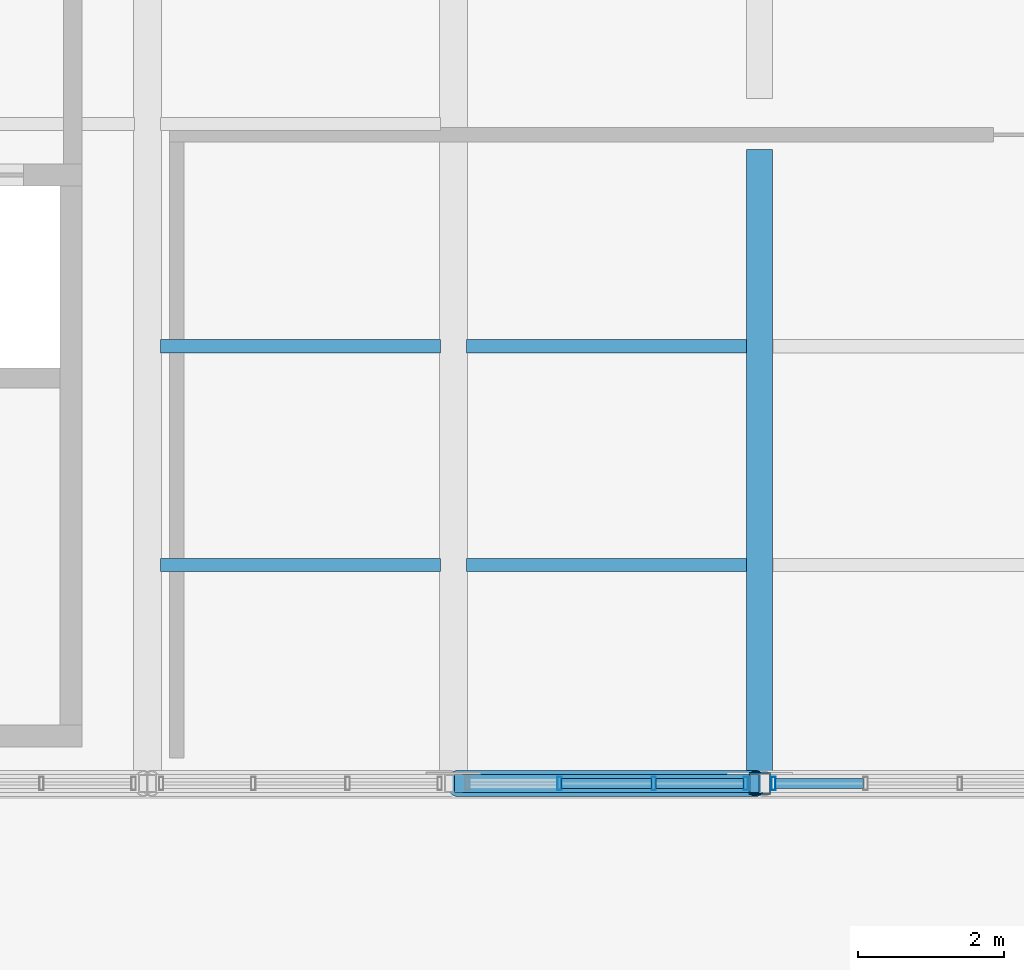
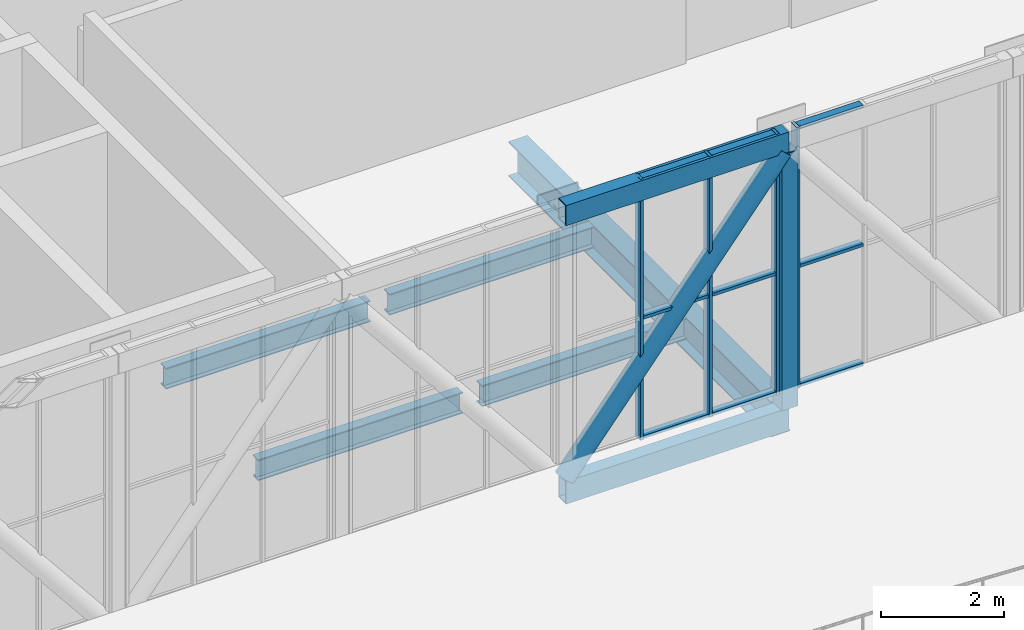
# One storey, part 20 of 58: 17 members, 5 beams, 2 elements without a shape of their own.
"""IFC4 building model written with IfcOpenShell, lengths in metres."""

from ifc_helpers import new_model, si_unit, direction, frame, origin, origin_2d, place, context, subcontext, project, spatial, hollow_rectangle, hollow_circle, i_section, extrude, material, material_profile, profile_set, type_object, element, aggregate, save


model = new_model("IFC4")

# Units and contexts
model_context = context("Model", 3, precision=1e-05, world=origin(), true_north=direction((0.0, 1.0)))
body_context = subcontext(model_context, "Body", "Model", "MODEL_VIEW")
ifc_project = project(units=[si_unit("LENGTHUNIT", "METRE"), si_unit("AREAUNIT", "SQUARE_METRE"), si_unit("VOLUMEUNIT", "CUBIC_METRE"), si_unit("PLANEANGLEUNIT", "RADIAN"), si_unit("MASSUNIT", "GRAM", prefix="KILO")], contexts=[model_context])

# Site, building, storey
site_placement = place(None, origin())
site = spatial("IfcSite", under=ifc_project, at=site_placement, CompositionType="ELEMENT")
building_placement = place(site_placement, origin())
building = spatial("IfcBuilding", under=site, at=building_placement, Name="Khurvash Pelagic Aquarium", CompositionType="ELEMENT")
storey_placement = place(building_placement, frame((0.0, 0.0, 24.60009765625)))
storey = spatial("IfcBuildingStorey", under=building, at=storey_placement, Name="L05", CompositionType="ELEMENT", Elevation=24.60009765625)

# Beam
ifc_material_1 = material(Name="Steel ASTM A992 Grade 50", Category="steel")
ifc_material_profile_1 = material_profile(ifc_material_1, i_section(OverallWidth=0.35595703125, OverallDepth=0.696044921875, WebThickness=0.015380859375, FlangeThickness=0.02490234375, at=origin_2d()), Name="W27X146")
ifc_profile_set_1 = profile_set([ifc_material_profile_1], Name="Steel ASTM A992 Grade 50")
beam_type_1 = type_object("IfcBeamType", Name="BM-09", PredefinedType="BEAM", material=ifc_profile_set_1)
beam_placement = place(storey_placement, frame((75.60009765625, 11.81005859375, -0.648193359375), z_axis=(0.0, 1.0, 0.0), x_axis=(-1.0, 0.0, 0.0)))
element("IfcBeam", 1, at=beam_placement, inside=storey, type_object=beam_type_1, Name="L05 Sky-Bar Transverse Floor Girder BM-09 N16", PredefinedType="BEAM", context=body_context, shape_type="SweptSolid", body=[
    extrude(i_section(OverallWidth=0.35595703125, OverallDepth=0.696044921875, WebThickness=0.015380859375, FlangeThickness=0.02490234375, at=origin_2d()), origin(), (0.0, 0.0, 1.0), 8.5400390625),
])

# Curtain wall, members
ifc_material_2 = material(Name="Anodised aluminium and low-E laminated glass", Category="aluminium")
curtain_wall_type = type_object("IfcCurtainWallType", Name="CW-01", PredefinedType="USERDEFINED", material=ifc_material_2)
curtain_wall_1_placement = place(storey_placement, origin())
curtain_wall_1 = element("IfcCurtainWall", 2, at=curtain_wall_1_placement, inside=storey, type_object=curtain_wall_type, Name="L05 South Sky-Bar Unitised Curtain Wall CW-01 P15", ObjectType="UNITISED CURTAIN WALL", PredefinedType="USERDEFINED")
ifc_material_3 = material(Name="Extruded aluminium AW-6063-T6", Category="aluminium")
ifc_material_profile_2 = material_profile(ifc_material_3, hollow_rectangle(XDim=0.06005859375, YDim=0.179931640625, WallThickness=0.00390625, at=origin_2d()), Name="CWM60X180X4")
ifc_profile_set_2 = profile_set([ifc_material_profile_2], Name="Extruded aluminium AW-6063-T6")
member_type_1 = type_object("IfcMemberType", Name="CM-01", PredefinedType="MULLION", material=ifc_profile_set_2)
member_1_placement = place(storey_placement, frame((72.853271484375, 11.64990234375, 0.0), z_axis=(0.0, 0.0, 1.0), x_axis=(1.0, 0.0, 0.0)))
member_1 = element("IfcMember", 3, at=member_1_placement, type_object=member_type_1, Name="CW-01 mullion 2", PredefinedType="MULLION", context=body_context, shape_type="SweptSolid", body=[
    extrude(hollow_rectangle(XDim=0.06005859375, YDim=0.179931640625, WallThickness=0.00390625, at=origin_2d()), origin(), (0.0, 0.0, 1.0), 5.179931640625),
])
member_2_placement = place(storey_placement, frame((74.146728515625, 11.64990234375, 0.0), z_axis=(0.0, 0.0, 1.0), x_axis=(1.0, 0.0, 0.0)))
member_2 = element("IfcMember", 4, at=member_2_placement, type_object=member_type_1, Name="CW-01 mullion 3", PredefinedType="MULLION", context=body_context, shape_type="SweptSolid", body=[
    extrude(hollow_rectangle(XDim=0.06005859375, YDim=0.179931640625, WallThickness=0.00390625, at=origin_2d()), origin(), (0.0, 0.0, 1.0), 5.179931640625),
])
member_3_placement = place(storey_placement, frame((75.409912109375, 11.64990234375, 0.0), z_axis=(0.0, 0.0, 1.0), x_axis=(1.0, 0.0, 0.0)))
member_3 = element("IfcMember", 5, at=member_3_placement, type_object=member_type_1, Name="CW-01 mullion 4", PredefinedType="MULLION", context=body_context, shape_type="SweptSolid", body=[
    extrude(hollow_rectangle(XDim=0.06005859375, YDim=0.179931640625, WallThickness=0.00390625, at=origin_2d()), origin(), (0.0, 0.0, 1.0), 5.179931640625),
])

# Curtain wall, member
curtain_wall_2_placement = place(storey_placement, origin())
curtain_wall_2 = element("IfcCurtainWall", 6, at=curtain_wall_2_placement, inside=storey, type_object=curtain_wall_type, Name="L05 South Sky-Bar Unitised Curtain Wall CW-01 P16", ObjectType="UNITISED CURTAIN WALL", PredefinedType="USERDEFINED")
member_4_placement = place(storey_placement, frame((75.7900390625, 11.64990234375, 0.0), z_axis=(0.0, 0.0, 1.0), x_axis=(1.0, 0.0, 0.0)))
member_4 = element("IfcMember", 7, at=member_4_placement, type_object=member_type_1, Name="CW-01 mullion 1", PredefinedType="MULLION", context=body_context, shape_type="SweptSolid", body=[
    extrude(hollow_rectangle(XDim=0.06005859375, YDim=0.179931640625, WallThickness=0.00390625, at=origin_2d()), origin(), (0.0, 0.0, 1.0), 5.179931640625),
])

# Member
ifc_material_profile_3 = material_profile(ifc_material_3, hollow_rectangle(XDim=0.139892578125, YDim=0.06005859375, WallThickness=0.00390625, at=origin_2d()), Name="CWT140X60X4")
ifc_profile_set_3 = profile_set([ifc_material_profile_3], Name="Extruded aluminium AW-6063-T6")
member_type_2 = type_object("IfcMemberType", Name="CT-01", PredefinedType="USERDEFINED", material=ifc_profile_set_3)
member_5_placement = place(storey_placement, frame((72.88330078125, 11.64990234375, 0.02978515625), z_axis=(1.0, 0.0, 0.0), x_axis=(0.0, 1.0, 0.0)))
member_5 = element("IfcMember", 8, at=member_5_placement, type_object=member_type_2, Name="CW-01 transom 2.1", ObjectType="TRANSOM", PredefinedType="USERDEFINED", context=body_context, shape_type="SweptSolid", body=[
    extrude(hollow_rectangle(XDim=0.139892578125, YDim=0.06005859375, WallThickness=0.00390625, at=origin_2d()), origin(), (0.0, 0.0, 1.0), 1.2333984375),
])

member_6_placement = place(storey_placement, frame((72.88330078125, 11.64990234375, 2.39990234375), z_axis=(1.0, 0.0, 0.0), x_axis=(0.0, 1.0, 0.0)))
member_6 = element("IfcMember", 9, at=member_6_placement, type_object=member_type_2, Name="CW-01 transom 2.2", ObjectType="TRANSOM", PredefinedType="USERDEFINED", context=body_context, shape_type="SweptSolid", body=[
    extrude(hollow_rectangle(XDim=0.139892578125, YDim=0.06005859375, WallThickness=0.00390625, at=origin_2d()), origin(), (0.0, 0.0, 1.0), 1.2333984375),
])

member_7_placement = place(storey_placement, frame((72.88330078125, 11.64990234375, 5.14990234375), z_axis=(1.0, 0.0, 0.0), x_axis=(0.0, 1.0, 0.0)))
member_7 = element("IfcMember", 10, at=member_7_placement, type_object=member_type_2, Name="CW-01 transom 2.3", ObjectType="TRANSOM", PredefinedType="USERDEFINED", context=body_context, shape_type="SweptSolid", body=[
    extrude(hollow_rectangle(XDim=0.139892578125, YDim=0.06005859375, WallThickness=0.00390625, at=origin_2d()), origin(), (0.0, 0.0, 1.0), 1.2333984375),
])

member_8_placement = place(storey_placement, frame((74.1767578125, 11.64990234375, 0.02978515625), z_axis=(1.0, 0.0, 0.0), x_axis=(0.0, 1.0, 0.0)))
member_8 = element("IfcMember", 11, at=member_8_placement, type_object=member_type_2, Name="CW-01 transom 3.1", ObjectType="TRANSOM", PredefinedType="USERDEFINED", context=body_context, shape_type="SweptSolid", body=[
    extrude(hollow_rectangle(XDim=0.139892578125, YDim=0.06005859375, WallThickness=0.00390625, at=origin_2d()), origin(), (0.0, 0.0, 1.0), 1.203125),
])

member_9_placement = place(storey_placement, frame((74.1767578125, 11.64990234375, 2.39990234375), z_axis=(1.0, 0.0, 0.0), x_axis=(0.0, 1.0, 0.0)))
member_9 = element("IfcMember", 12, at=member_9_placement, type_object=member_type_2, Name="CW-01 transom 3.2", ObjectType="TRANSOM", PredefinedType="USERDEFINED", context=body_context, shape_type="SweptSolid", body=[
    extrude(hollow_rectangle(XDim=0.139892578125, YDim=0.06005859375, WallThickness=0.00390625, at=origin_2d()), origin(), (0.0, 0.0, 1.0), 1.203125),
])

member_10_placement = place(storey_placement, frame((74.1767578125, 11.64990234375, 5.14990234375), z_axis=(1.0, 0.0, 0.0), x_axis=(0.0, 1.0, 0.0)))
member_10 = element("IfcMember", 13, at=member_10_placement, type_object=member_type_2, Name="CW-01 transom 3.3", ObjectType="TRANSOM", PredefinedType="USERDEFINED", context=body_context, shape_type="SweptSolid", body=[
    extrude(hollow_rectangle(XDim=0.139892578125, YDim=0.06005859375, WallThickness=0.00390625, at=origin_2d()), origin(), (0.0, 0.0, 1.0), 1.203125),
])

aggregate(curtain_wall_1, [member_1, member_2, member_3, member_5, member_6, member_7, member_8, member_9, member_10])

member_11_placement = place(storey_placement, frame((75.820068359375, 11.64990234375, 0.02978515625), z_axis=(1.0, 0.0, 0.0), x_axis=(0.0, 1.0, 0.0)))
member_11 = element("IfcMember", 14, at=member_11_placement, type_object=member_type_2, Name="CW-01 transom 1.1", ObjectType="TRANSOM", PredefinedType="USERDEFINED", context=body_context, shape_type="SweptSolid", body=[
    extrude(hollow_rectangle(XDim=0.139892578125, YDim=0.06005859375, WallThickness=0.00390625, at=origin_2d()), origin(), (0.0, 0.0, 1.0), 1.203369140625),
])

member_12_placement = place(storey_placement, frame((75.820068359375, 11.64990234375, 2.39990234375), z_axis=(1.0, 0.0, 0.0), x_axis=(0.0, 1.0, 0.0)))
member_12 = element("IfcMember", 15, at=member_12_placement, type_object=member_type_2, Name="CW-01 transom 1.2", ObjectType="TRANSOM", PredefinedType="USERDEFINED", context=body_context, shape_type="SweptSolid", body=[
    extrude(hollow_rectangle(XDim=0.139892578125, YDim=0.06005859375, WallThickness=0.00390625, at=origin_2d()), origin(), (0.0, 0.0, 1.0), 1.203369140625),
])

member_13_placement = place(storey_placement, frame((75.820068359375, 11.64990234375, 5.14990234375), z_axis=(1.0, 0.0, 0.0), x_axis=(0.0, 1.0, 0.0)))
member_13 = element("IfcMember", 16, at=member_13_placement, type_object=member_type_2, Name="CW-01 transom 1.3", ObjectType="TRANSOM", PredefinedType="USERDEFINED", context=body_context, shape_type="SweptSolid", body=[
    extrude(hollow_rectangle(XDim=0.139892578125, YDim=0.06005859375, WallThickness=0.00390625, at=origin_2d()), origin(), (0.0, 0.0, 1.0), 1.203369140625),
])

aggregate(curtain_wall_2, [member_4, member_11, member_12, member_13])

# Beams
ifc_material_profile_4 = material_profile(ifc_material_1, i_section(OverallWidth=0.180908203125, OverallDepth=0.4169921875, WebThickness=0.010986328125, FlangeThickness=0.018310546875, at=origin_2d()), Name="W16X57")
ifc_profile_set_4 = profile_set([ifc_material_profile_4], Name="Steel ASTM A992 Grade 50")
beam_type_2 = type_object("IfcBeamType", Name="JS-03", PredefinedType="JOIST", material=ifc_profile_set_4)
for number, where, z_axis, x_axis, name in (
    (17, (67.3798828125, 14.64990234375, -0.508544921875), (1.0, 0.0, 0.0), (0.0, 1.0, 0.0), "L05 Sky-Bar Floor Joist JS-03 P14"),
    (18, (67.3798828125, 17.64990234375, -0.508544921875), (1.0, 0.0, 0.0), (0.0, 1.0, 0.0), "L05 Sky-Bar Floor Joist JS-03 P14"),
):
    element("IfcBeam", number, at=place(storey_placement, frame(where, z_axis=z_axis, x_axis=x_axis)), inside=storey, type_object=beam_type_2, Name=name, PredefinedType="JOIST", context=body_context, shape_type="SweptSolid", body=[
        extrude(i_section(OverallWidth=0.180908203125, OverallDepth=0.4169921875, WebThickness=0.010986328125, FlangeThickness=0.018310546875, at=origin_2d()), origin(), (0.0, 0.0, 1.0), 3.840087890625),
    ])
for number, where, z_axis, x_axis, name in (
    (19, (71.580078125, 14.64990234375, -0.508544921875), (1.0, 0.0, 0.0), (0.0, 1.0, 0.0), "L05 Sky-Bar Floor Joist JS-03 P15"),
    (20, (71.580078125, 17.64990234375, -0.508544921875), (1.0, 0.0, 0.0), (0.0, 1.0, 0.0), "L05 Sky-Bar Floor Joist JS-03 P15"),
):
    element("IfcBeam", number, at=place(storey_placement, frame(where, z_axis=z_axis, x_axis=x_axis)), inside=storey, type_object=beam_type_2, Name=name, PredefinedType="JOIST", context=body_context, shape_type="SweptSolid", body=[
        extrude(i_section(OverallWidth=0.180908203125, OverallDepth=0.4169921875, WebThickness=0.010986328125, FlangeThickness=0.018310546875, at=origin_2d()), origin(), (0.0, 0.0, 1.0), 3.83984375),
    ])

# Members
ifc_material_4 = material(Name="Steel S355J2", Category="steel")
ifc_material_profile_5 = material_profile(ifc_material_4, hollow_rectangle(XDim=0.25, YDim=0.449951171875, WallThickness=0.02001953125, at=origin_2d()), Name="RHS450X250X20")
ifc_profile_set_5 = profile_set([ifc_material_profile_5], Name="Steel S355J2")
member_type_3 = type_object("IfcMemberType", Name="TC-01", PredefinedType="CHORD", material=ifc_profile_set_5)
member_14_placement = place(storey_placement, frame((71.409912109375, 11.64990234375, -0.525146484375), z_axis=(1.0, 0.0, 0.0), x_axis=(0.0, 1.0, 0.0)))
element("IfcMember", 21, at=member_14_placement, inside=storey, type_object=member_type_3, Name="L05 South Sky-Bar Warren Truss Bottom Chord TC-01 P15", PredefinedType="CHORD", context=body_context, shape_type="SweptSolid", body=[
    extrude(hollow_rectangle(XDim=0.25, YDim=0.449951171875, WallThickness=0.02001953125, at=origin_2d()), origin(), (0.0, 0.0, 1.0), 4.18017578125),
])
ifc_material_profile_6 = material_profile(ifc_material_4, hollow_rectangle(XDim=0.25, YDim=0.39990234375, WallThickness=0.01611328125, at=origin_2d()), Name="RHS400X250X16")
ifc_profile_set_6 = profile_set([ifc_material_profile_6], Name="Steel S355J2")
member_type_4 = type_object("IfcMemberType", Name="TC-02", PredefinedType="CHORD", material=ifc_profile_set_6)
member_15_placement = place(storey_placement, frame((71.409912109375, 11.64990234375, 4.97998046875), z_axis=(1.0, 0.0, 0.0), x_axis=(0.0, 1.0, 0.0)))
element("IfcMember", 22, at=member_15_placement, inside=storey, type_object=member_type_4, Name="L05 South Sky-Bar Warren Truss Top Chord TC-02 P15", PredefinedType="CHORD", context=body_context, shape_type="SweptSolid", body=[
    extrude(hollow_rectangle(XDim=0.25, YDim=0.39990234375, WallThickness=0.01611328125, at=origin_2d()), origin(), (0.0, 0.0, 1.0), 4.18017578125),
])
ifc_material_profile_7 = material_profile(ifc_material_4, hollow_circle(Radius=0.177734375, WallThickness=0.01416015625, at=origin_2d()), Name="CHS355X14")
ifc_profile_set_7 = profile_set([ifc_material_profile_7], Name="Steel S355J2")
member_type_5 = type_object("IfcMemberType", Name="TD-02", PredefinedType="BRACE", material=ifc_profile_set_7)
member_16_placement = place(storey_placement, frame((71.449951171875, 11.64990234375, -0.300048828125), z_axis=(0.628073304864, 0.0, 0.778154177343), x_axis=(0.0, 1.0, 0.0)))
element("IfcMember", 23, at=member_16_placement, inside=storey, type_object=member_type_5, Name="L05 South Sky-Bar Warren Truss Diagonal TD-02 P15", PredefinedType="BRACE", context=body_context, shape_type="SweptSolid", body=[
    extrude(hollow_circle(Radius=0.177734375, WallThickness=0.01416015625, at=origin_2d()), origin(), (0.0, 0.0, 1.0), 6.528076171875),
])
ifc_material_profile_8 = material_profile(ifc_material_4, hollow_rectangle(XDim=0.300048828125, YDim=0.300048828125, WallThickness=0.01611328125, at=origin_2d()), Name="SHS300X300X16")
ifc_profile_set_8 = profile_set([ifc_material_profile_8], Name="Steel S355J2")
member_type_6 = type_object("IfcMemberType", Name="TV-01", PredefinedType="POST", material=ifc_profile_set_8)
member_17_placement = place(storey_placement, frame((75.60009765625, 11.64990234375, -0.300048828125), z_axis=(0.0, 0.0, 1.0), x_axis=(1.0, 0.0, 0.0)))
element("IfcMember", 24, at=member_17_placement, inside=storey, type_object=member_type_6, Name="L05 South Sky-Bar Truss Post TV-01 N16", PredefinedType="POST", context=body_context, shape_type="SweptSolid", body=[
    extrude(hollow_rectangle(XDim=0.300048828125, YDim=0.300048828125, WallThickness=0.01611328125, at=origin_2d()), origin(), (0.0, 0.0, 1.0), 5.079833984375),
])

save(model, "model.ifc")
